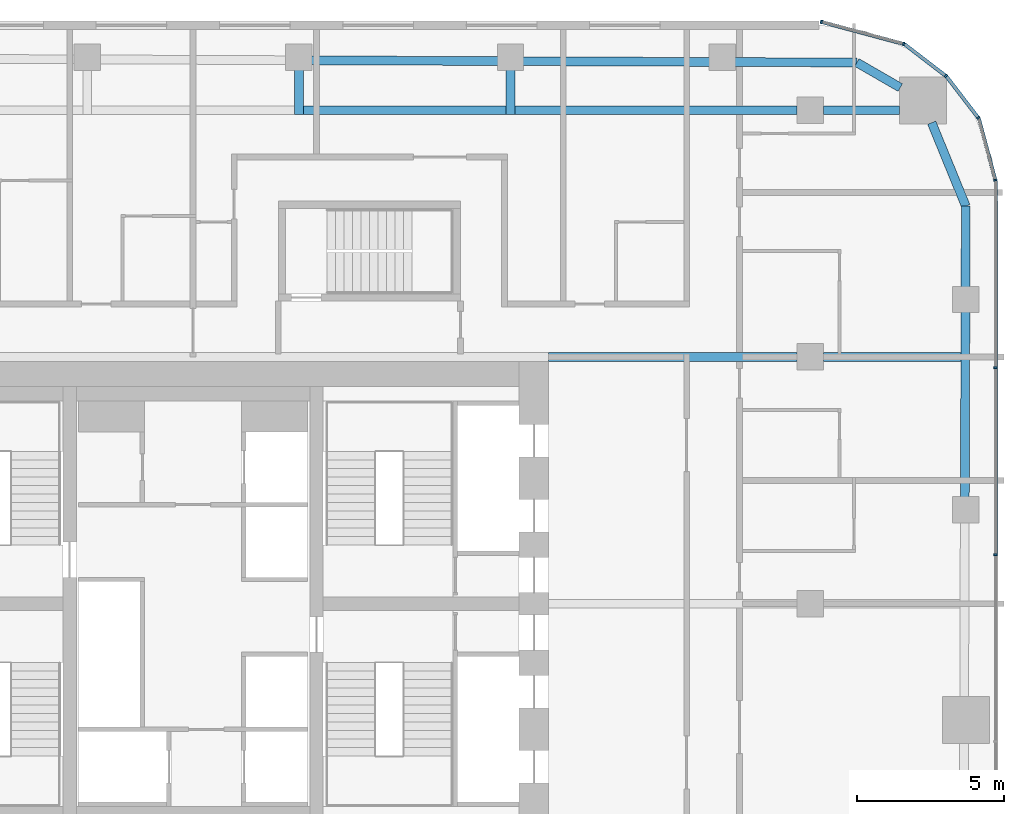
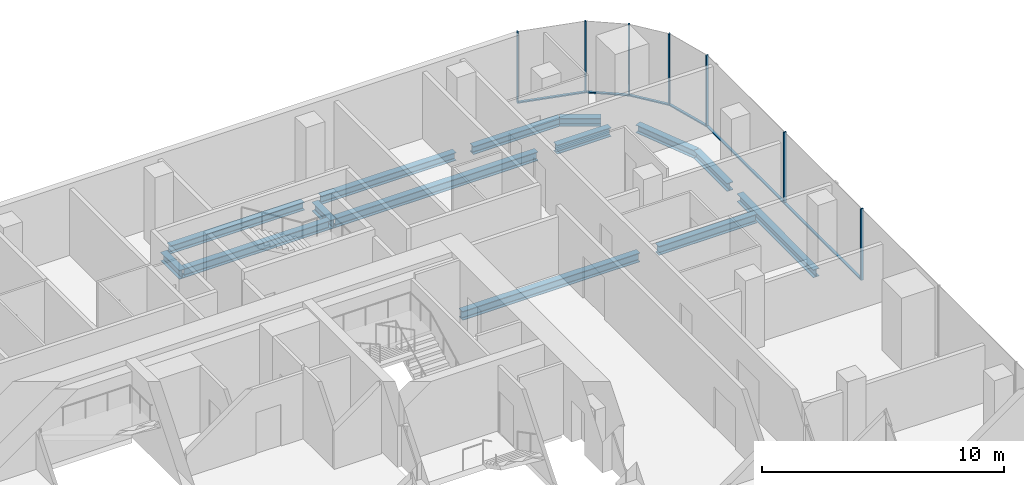
# One storey, part 11 of 23: 14 beams, 13 members, 5 elements without a shape of their own.
"""IFC4 building model written with IfcOpenShell, lengths in metres."""

from ifc_helpers import new_model, si_unit, direction, frame, origin, origin_2d, place, context, subcontext, project, spatial, rectangle, i_section, extrude, material, layer, layer_set, material_profile, profile_set, type_object, element, aggregate, save


model = new_model("IFC4")

# Units and contexts
model_context = context("Model", 3, precision=1e-05, world=origin(), true_north=direction((0.0, 1.0)))
body_context = subcontext(model_context, "Body", "Model", "MODEL_VIEW")
ifc_project = project(units=[si_unit("LENGTHUNIT", "METRE"), si_unit("AREAUNIT", "SQUARE_METRE"), si_unit("VOLUMEUNIT", "CUBIC_METRE"), si_unit("PLANEANGLEUNIT", "RADIAN"), si_unit("MASSUNIT", "GRAM", prefix="KILO")], contexts=[model_context])

# Site, building, storey
site_placement = place(None, origin())
site = spatial("IfcSite", under=ifc_project, at=site_placement, CompositionType="ELEMENT")
building_placement = place(site_placement, origin())
building = spatial("IfcBuilding", under=site, at=building_placement, Name="Marenta Gate Hotel Tower", CompositionType="ELEMENT")
storey_placement = place(building_placement, frame((0.0, 0.0, 104.89990234375)))
storey = spatial("IfcBuildingStorey", under=building, at=storey_placement, Name="L22", CompositionType="ELEMENT", Elevation=104.89990234375)

# Beams
ifc_material_1 = material(Name="Steel S355", Category="steel")
ifc_material_profile_1 = material_profile(ifc_material_1, i_section(OverallWidth=0.300048828125, OverallDepth=0.39990234375, WebThickness=0.013427734375, FlangeThickness=0.02392578125, FilletRadius=0.027099609375, at=origin_2d()), Name="HEB 400")
ifc_profile_set_1 = profile_set([ifc_material_profile_1], Name="Steel S355")
beam_type_1 = type_object("IfcBeamType", Name="Edge beam HEB 400", PredefinedType="SPANDREL", material=ifc_profile_set_1)
beam_1_placement = place(storey_placement, frame((4.011474609375, 26.89697265625, -0.4599609375), z_axis=(0.999991780119, -0.004054589324, 0.0), x_axis=(0.004054589324, 0.999991780119, 0.0)))
element("IfcBeam", 1, at=beam_1_placement, inside=storey, type_object=beam_type_1, Name="L22-EB-17", PredefinedType="SPANDREL", context=body_context, shape_type="SweptSolid", body=[
    extrude(i_section(OverallWidth=0.300048828125, OverallDepth=0.39990234375, WebThickness=0.013427734375, FlangeThickness=0.02392578125, FilletRadius=0.027099609375, at=origin_2d()), origin(), (0.0, 0.0, 1.0), 6.382568359375),
])
beam_2_placement = place(storey_placement, frame((11.214111328125, 26.86767578125, -0.4599609375), z_axis=(0.999991780748, -0.00405443424, 0.0), x_axis=(0.00405443424, 0.999991780748, 0.0)))
element("IfcBeam", 2, at=beam_2_placement, inside=storey, type_object=beam_type_1, Name="L22-EB-18", PredefinedType="SPANDREL", context=body_context, shape_type="SweptSolid", body=[
    extrude(i_section(OverallWidth=0.300048828125, OverallDepth=0.39990234375, WebThickness=0.013427734375, FlangeThickness=0.02392578125, FilletRadius=0.027099609375, at=origin_2d()), origin(), (0.0, 0.0, 1.0), 6.3828125),
])
beam_3_placement = place(storey_placement, frame((18.4169921875, 26.83837890625, -0.4599609375), z_axis=(0.999991621459, -0.004093532953, 0.0), x_axis=(0.004093532953, 0.999991621459, 0.0)))
element("IfcBeam", 3, at=beam_3_placement, inside=storey, type_object=beam_type_1, Name="L22-EB-19", PredefinedType="SPANDREL", context=body_context, shape_type="SweptSolid", body=[
    extrude(i_section(OverallWidth=0.300048828125, OverallDepth=0.39990234375, WebThickness=0.013427734375, FlangeThickness=0.02392578125, FilletRadius=0.027099609375, at=origin_2d()), origin(), (0.0, 0.0, 1.0), 4.1748046875),
])
beam_4_placement = place(storey_placement, frame((22.591796875, 26.8212890625, -0.4599609375), z_axis=(0.866016478054, -0.500015459501, 0.0), x_axis=(0.500015459501, 0.866016478054, 0.0)))
element("IfcBeam", 4, at=beam_4_placement, inside=storey, type_object=beam_type_1, Name="L22-EB-20", PredefinedType="SPANDREL", context=body_context, shape_type="SweptSolid", body=[
    extrude(i_section(OverallWidth=0.300048828125, OverallDepth=0.39990234375, WebThickness=0.013427734375, FlangeThickness=0.02392578125, FilletRadius=0.027099609375, at=origin_2d()), origin(), (0.0, 0.0, 1.0), 1.70703125),
])
beam_5_placement = place(storey_placement, frame((25.138916015625, 24.7724609375, -0.4599609375), z_axis=(0.378682450416, -0.925526661824, 0.0), x_axis=(0.925526661824, 0.378682450416, 0.0)))
element("IfcBeam", 5, at=beam_5_placement, inside=storey, type_object=beam_type_1, Name="L22-EB-21", PredefinedType="SPANDREL", context=body_context, shape_type="SweptSolid", body=[
    extrude(i_section(OverallWidth=0.300048828125, OverallDepth=0.39990234375, WebThickness=0.013427734375, FlangeThickness=0.02392578125, FilletRadius=0.027099609375, at=origin_2d()), origin(), (0.0, 0.0, 1.0), 3.066162109375),
])
beam_6_placement = place(storey_placement, frame((26.300048828125, 21.9345703125, -0.4599609375), z_axis=(-0.003351542298, -0.999994383566, 0.0), x_axis=(0.999994383566, -0.003351542298, 0.0)))
element("IfcBeam", 6, at=beam_6_placement, inside=storey, type_object=beam_type_1, Name="L22-EB-22", PredefinedType="SPANDREL", context=body_context, shape_type="SweptSolid", body=[
    extrude(i_section(OverallWidth=0.300048828125, OverallDepth=0.39990234375, WebThickness=0.013427734375, FlangeThickness=0.02392578125, FilletRadius=0.027099609375, at=origin_2d()), origin(), (0.0, 0.0, 1.0), 2.76806640625),
])
beam_7_placement = place(storey_placement, frame((26.2880859375, 18.346435546875, -0.4599609375), z_axis=(-0.00335374545, -0.99999437618, 0.0), x_axis=(0.99999437618, -0.00335374545, 0.0)))
element("IfcBeam", 7, at=beam_7_placement, inside=storey, type_object=beam_type_1, Name="L22-EB-23", PredefinedType="SPANDREL", context=body_context, shape_type="SweptSolid", body=[
    extrude(i_section(OverallWidth=0.300048828125, OverallDepth=0.39990234375, WebThickness=0.013427734375, FlangeThickness=0.02392578125, FilletRadius=0.027099609375, at=origin_2d()), origin(), (0.0, 0.0, 1.0), 6.333251953125),
])
ifc_material_2 = material(Name="Steel S355", Category="steel")
ifc_material_profile_2 = material_profile(ifc_material_2, i_section(OverallWidth=0.300048828125, OverallDepth=0.449951171875, WebThickness=0.013916015625, FlangeThickness=0.02587890625, FilletRadius=0.027099609375, at=origin_2d()), Name="HEB 450")
ifc_profile_set_2 = profile_set([ifc_material_profile_2], Name="Steel S355")
beam_type_2 = type_object("IfcBeamType", Name="Girder HEB 450", PredefinedType="BEAM", material=ifc_profile_set_2)
beam_8_placement = place(storey_placement, frame((12.10009765625, 16.800048828125, -0.48486328125), z_axis=(1.0, 0.0, 0.0), x_axis=(0.0, 1.0, 0.0)))
element("IfcBeam", 8, at=beam_8_placement, inside=storey, type_object=beam_type_2, Name="L22-GD-27", PredefinedType="BEAM", context=body_context, shape_type="SweptSolid", body=[
    extrude(i_section(OverallWidth=0.300048828125, OverallDepth=0.449951171875, WebThickness=0.013916015625, FlangeThickness=0.02587890625, FilletRadius=0.027099609375, at=origin_2d()), origin(), (0.0, 0.0, 1.0), 8.449951171875),
])
beam_9_placement = place(storey_placement, frame((21.449951171875, 16.800048828125, -0.48486328125), z_axis=(1.0, 0.0, 0.0), x_axis=(0.0, 1.0, 0.0)))
element("IfcBeam", 9, at=beam_9_placement, inside=storey, type_object=beam_type_2, Name="L22-GD-28", PredefinedType="BEAM", context=body_context, shape_type="SweptSolid", body=[
    extrude(i_section(OverallWidth=0.300048828125, OverallDepth=0.449951171875, WebThickness=0.013916015625, FlangeThickness=0.02587890625, FilletRadius=0.027099609375, at=origin_2d()), origin(), (0.0, 0.0, 1.0), 4.682861328125),
])
beam_10_placement = place(storey_placement, frame((3.75146484375, 25.199951171875, -0.48486328125), z_axis=(1.0, 0.0, 0.0), x_axis=(0.0, 1.0, 0.0)))
element("IfcBeam", 10, at=beam_10_placement, inside=storey, type_object=beam_type_2, Name="L22-GD-33", PredefinedType="BEAM", context=body_context, shape_type="SweptSolid", body=[
    extrude(i_section(OverallWidth=0.300048828125, OverallDepth=0.449951171875, WebThickness=0.013916015625, FlangeThickness=0.02587890625, FilletRadius=0.027099609375, at=origin_2d()), origin(), (0.0, 0.0, 1.0), 6.902587890625),
])
beam_11_placement = place(storey_placement, frame((10.9541015625, 25.199951171875, -0.48486328125), z_axis=(1.0, 0.0, 0.0), x_axis=(0.0, 1.0, 0.0)))
element("IfcBeam", 11, at=beam_11_placement, inside=storey, type_object=beam_type_2, Name="L22-GD-34", PredefinedType="BEAM", context=body_context, shape_type="SweptSolid", body=[
    extrude(i_section(OverallWidth=0.300048828125, OverallDepth=0.449951171875, WebThickness=0.013916015625, FlangeThickness=0.02587890625, FilletRadius=0.027099609375, at=origin_2d()), origin(), (0.0, 0.0, 1.0), 9.595947265625),
])
beam_12_placement = place(storey_placement, frame((21.449951171875, 25.199951171875, -0.48486328125), z_axis=(1.0, 0.0, 0.0), x_axis=(0.0, 1.0, 0.0)))
element("IfcBeam", 12, at=beam_12_placement, inside=storey, type_object=beam_type_2, Name="L22-GD-35", PredefinedType="BEAM", context=body_context, shape_type="SweptSolid", body=[
    extrude(i_section(OverallWidth=0.300048828125, OverallDepth=0.449951171875, WebThickness=0.013916015625, FlangeThickness=0.02587890625, FilletRadius=0.027099609375, at=origin_2d()), origin(), (0.0, 0.0, 1.0), 2.58544921875),
])
ifc_material_3 = material(Name="Steel S355", Category="steel")
ifc_material_profile_3 = material_profile(ifc_material_3, i_section(OverallWidth=0.300048828125, OverallDepth=0.449951171875, WebThickness=0.013916015625, FlangeThickness=0.02587890625, FilletRadius=0.027099609375, at=origin_2d()), Name="HEB 450")
ifc_profile_set_3 = profile_set([ifc_material_profile_3], Name="Steel S355")
beam_type_3 = type_object("IfcBeamType", Name="Girder bracket HEB 450", PredefinedType="BEAM", material=ifc_profile_set_3)
for number, where, z_axis, x_axis, name in (
    (13, (3.601318359375, 25.050048828125, -0.48486328125), (0.0, 1.0, 0.0), (-1.0, 0.0, 0.0), "L22-GS-3"),
    (14, (10.80419921875, 25.050048828125, -0.48486328125), (0.0, 1.0, 0.0), (-1.0, 0.0, 0.0), "L22-GS-4"),
):
    element("IfcBeam", number, at=place(storey_placement, frame(where, z_axis=z_axis, x_axis=x_axis)), inside=storey, type_object=beam_type_3, Name=name, PredefinedType="BEAM", context=body_context, shape_type="SweptSolid", body=[
        extrude(i_section(OverallWidth=0.300048828125, OverallDepth=0.449951171875, WebThickness=0.013916015625, FlangeThickness=0.02587890625, FilletRadius=0.027099609375, at=origin_2d()), origin(), (0.0, 0.0, 1.0), 1.5400390625),
    ])

# Curtain wall, members
ifc_material_4 = material(Name="Tinted insulated glass in bronze anodised frame", Category="glass")
ifc_layer = layer(ifc_material_4, 0.1201171875)
ifc_layer_set = layer_set([ifc_layer], Name="Tinted insulated glass in bronze anodised frame")
curtain_wall_type = type_object("IfcCurtainWallType", Name="Tower unitised curtain wall CW1", PredefinedType="NOTDEFINED", material=ifc_layer_set)
curtain_wall_1_placement = place(storey_placement, origin())
curtain_wall_1 = element("IfcCurtainWall", 15, at=curtain_wall_1_placement, inside=storey, type_object=curtain_wall_type, Name="CW1 run G11", PredefinedType="NOTDEFINED")
ifc_material_5 = material(Name="Bronze anodised aluminium", Category="aluminium")
ifc_material_profile_4 = material_profile(ifc_material_5, rectangle(XDim=0.1201171875, YDim=0.06005859375, at=origin_2d()), Name="Mullion CW1 60x120 bronze anodised aluminium")
ifc_profile_set_4 = profile_set([ifc_material_profile_4], Name="Bronze anodised aluminium")
member_type_1 = type_object("IfcMemberType", Name="Mullion CW1 60x120 bronze anodised aluminium", PredefinedType="MULLION", material=ifc_profile_set_4)
member_1_placement = place(storey_placement, frame((27.31396484375, 10.072021484375, 0.0), z_axis=(0.0, 0.0, 1.0), x_axis=(-1.0, 0.0, 0.0)))
member_1 = element("IfcMember", 16, at=member_1_placement, type_object=member_type_1, Name="CW1 mullion 5", PredefinedType="MULLION", context=body_context, shape_type="SweptSolid", body=[
    extrude(rectangle(XDim=0.1201171875, YDim=0.06005859375, at=origin_2d()), origin(), (0.0, 0.0, 1.0), 3.60009765625),
])
member_2_placement = place(storey_placement, frame((27.31396484375, 16.431884765625, 0.0), z_axis=(0.0, 0.0, 1.0), x_axis=(-1.0, 0.0, 0.0)))
member_2 = element("IfcMember", 17, at=member_2_placement, type_object=member_type_1, Name="CW1 mullion 6", PredefinedType="MULLION", context=body_context, shape_type="SweptSolid", body=[
    extrude(rectangle(XDim=0.1201171875, YDim=0.06005859375, at=origin_2d()), origin(), (0.0, 0.0, 1.0), 3.60009765625),
])

# Curtain wall, member
curtain_wall_2_placement = place(storey_placement, origin())
curtain_wall_2 = element("IfcCurtainWall", 18, at=curtain_wall_2_placement, inside=storey, type_object=curtain_wall_type, Name="CW1 run G12", PredefinedType="NOTDEFINED")
member_3_placement = place(storey_placement, frame((27.30615234375, 22.82080078125, 0.0), z_axis=(0.0, 0.0, 1.0), x_axis=(-0.965924859908, -0.258822651658, 0.0)))
member_3 = element("IfcMember", 19, at=member_3_placement, type_object=member_type_1, Name="CW1 mullion 1", PredefinedType="MULLION", context=body_context, shape_type="SweptSolid", body=[
    extrude(rectangle(XDim=0.1201171875, YDim=0.06005859375, at=origin_2d()), origin(), (0.0, 0.0, 1.0), 3.60009765625),
])

curtain_wall_3_placement = place(storey_placement, origin())
curtain_wall_3 = element("IfcCurtainWall", 20, at=curtain_wall_3_placement, inside=storey, type_object=curtain_wall_type, Name="CW1 run G13", PredefinedType="NOTDEFINED")
member_4_placement = place(storey_placement, frame((26.727783203125, 24.93505859375, 0.0), z_axis=(0.0, 0.0, 1.0), x_axis=(-0.793326722289, -0.608796116694, 0.0)))
member_4 = element("IfcMember", 21, at=member_4_placement, type_object=member_type_1, Name="CW1 mullion 1", PredefinedType="MULLION", context=body_context, shape_type="SweptSolid", body=[
    extrude(rectangle(XDim=0.1201171875, YDim=0.06005859375, at=origin_2d()), origin(), (0.0, 0.0, 1.0), 3.60009765625),
])

curtain_wall_4_placement = place(storey_placement, origin())
curtain_wall_4 = element("IfcCurtainWall", 22, at=curtain_wall_4_placement, inside=storey, type_object=curtain_wall_type, Name="CW1 run G14", PredefinedType="NOTDEFINED")
member_5_placement = place(storey_placement, frame((25.62158203125, 26.36376953125, 0.0), z_axis=(0.0, 0.0, 1.0), x_axis=(-0.608796116694, -0.793326722289, 0.0)))
member_5 = element("IfcMember", 23, at=member_5_placement, type_object=member_type_1, Name="CW1 mullion 1", PredefinedType="MULLION", context=body_context, shape_type="SweptSolid", body=[
    extrude(rectangle(XDim=0.1201171875, YDim=0.06005859375, at=origin_2d()), origin(), (0.0, 0.0, 1.0), 3.60009765625),
])

# Curtain wall, members
curtain_wall_5_placement = place(storey_placement, origin())
curtain_wall_5 = element("IfcCurtainWall", 24, at=curtain_wall_5_placement, inside=storey, type_object=curtain_wall_type, Name="CW1 run G15", PredefinedType="NOTDEFINED")
member_6_placement = place(storey_placement, frame((24.182373046875, 27.453857421875, 0.0), z_axis=(0.0, 0.0, 1.0), x_axis=(-0.258805989975, -0.965929324305, 0.0)))
member_6 = element("IfcMember", 25, at=member_6_placement, type_object=member_type_1, Name="CW1 mullion 1", PredefinedType="MULLION", context=body_context, shape_type="SweptSolid", body=[
    extrude(rectangle(XDim=0.1201171875, YDim=0.06005859375, at=origin_2d()), origin(), (0.0, 0.0, 1.0), 3.60009765625),
])
member_7_placement = place(storey_placement, frame((21.385498046875, 28.203125, 0.0), z_axis=(0.0, 0.0, 1.0), x_axis=(-0.258805989975, -0.965929324305, 0.0)))
member_7 = element("IfcMember", 26, at=member_7_placement, type_object=member_type_1, Name="CW1 mullion 2", PredefinedType="MULLION", context=body_context, shape_type="SweptSolid", body=[
    extrude(rectangle(XDim=0.1201171875, YDim=0.06005859375, at=origin_2d()), origin(), (0.0, 0.0, 1.0), 3.60009765625),
])

# Member
ifc_material_6 = material(Name="Bronze anodised aluminium", Category="aluminium")
ifc_material_profile_5 = material_profile(ifc_material_6, rectangle(XDim=0.1201171875, YDim=0.06005859375, at=origin_2d()), Name="Transom CW1 60x120 bronze anodised aluminium")
ifc_profile_set_5 = profile_set([ifc_material_profile_5], Name="Bronze anodised aluminium")
member_type_2 = type_object("IfcMemberType", Name="Transom CW1 60x120 bronze anodised aluminium", PredefinedType="USERDEFINED", material=ifc_profile_set_5)
member_8_placement = place(storey_placement, frame((27.31396484375, 10.10205078125, 0.030029296875), z_axis=(0.0, 1.0, 0.0), x_axis=(-1.0, 0.0, 0.0)))
member_8 = element("IfcMember", 27, at=member_8_placement, type_object=member_type_2, Name="CW1 transom 5.1", ObjectType="TRANSOM", PredefinedType="USERDEFINED", context=body_context, shape_type="SweptSolid", body=[
    extrude(rectangle(XDim=0.1201171875, YDim=0.06005859375, at=origin_2d()), origin(), (0.0, 0.0, 1.0), 6.2998046875),
])

member_9_placement = place(storey_placement, frame((27.31396484375, 16.4619140625, 0.030029296875), z_axis=(0.0, 1.0, 0.0), x_axis=(-1.0, 0.0, 0.0)))
member_9 = element("IfcMember", 28, at=member_9_placement, type_object=member_type_2, Name="CW1 transom 6.1", ObjectType="TRANSOM", PredefinedType="USERDEFINED", context=body_context, shape_type="SweptSolid", body=[
    extrude(rectangle(XDim=0.1201171875, YDim=0.06005859375, at=origin_2d()), origin(), (0.0, 0.0, 1.0), 6.330078125),
])

aggregate(curtain_wall_1, [member_1, member_2, member_8, member_9])

member_10_placement = place(storey_placement, frame((27.298583984375, 22.849853515625, 0.030029296875), z_axis=(-0.258865686882, 0.965913327455, 0.0), x_axis=(-0.965913327455, -0.258865686882, 0.0)))
member_10 = element("IfcMember", 29, at=member_10_placement, type_object=member_type_2, Name="CW1 transom 1.1", ObjectType="TRANSOM", PredefinedType="USERDEFINED", context=body_context, shape_type="SweptSolid", body=[
    extrude(rectangle(XDim=0.1201171875, YDim=0.06005859375, at=origin_2d()), origin(), (0.0, 0.0, 1.0), 2.13427734375),
])

aggregate(curtain_wall_2, [member_3, member_10])

member_11_placement = place(storey_placement, frame((26.70947265625, 24.958984375, 0.030029296875), z_axis=(-0.608792205599, 0.793329723634, 0.0), x_axis=(-0.793329723634, -0.608792205599, 0.0)))
member_11 = element("IfcMember", 30, at=member_11_placement, type_object=member_type_2, Name="CW1 transom 1.1", ObjectType="TRANSOM", PredefinedType="USERDEFINED", context=body_context, shape_type="SweptSolid", body=[
    extrude(rectangle(XDim=0.1201171875, YDim=0.06005859375, at=origin_2d()), origin(), (0.0, 0.0, 1.0), 1.74755859375),
])

aggregate(curtain_wall_3, [member_4, member_11])

member_12_placement = place(storey_placement, frame((25.597900390625, 26.382080078125, 0.030029296875), z_axis=(-0.793381490019, 0.608724741814, 0.0), x_axis=(-0.608724741814, -0.793381490019, 0.0)))
member_12 = element("IfcMember", 31, at=member_12_placement, type_object=member_type_2, Name="CW1 transom 1.1", ObjectType="TRANSOM", PredefinedType="USERDEFINED", context=body_context, shape_type="SweptSolid", body=[
    extrude(rectangle(XDim=0.1201171875, YDim=0.06005859375, at=origin_2d()), origin(), (0.0, 0.0, 1.0), 1.747802734375),
])

aggregate(curtain_wall_4, [member_5, member_12])

member_13_placement = place(storey_placement, frame((24.1533203125, 27.461669921875, 0.030029296875), z_axis=(-0.965922684272, 0.258830770986, 0.0), x_axis=(-0.258830770986, -0.965922684272, 0.0)))
member_13 = element("IfcMember", 32, at=member_13_placement, type_object=member_type_2, Name="CW1 transom 1.1", ObjectType="TRANSOM", PredefinedType="USERDEFINED", context=body_context, shape_type="SweptSolid", body=[
    extrude(rectangle(XDim=0.1201171875, YDim=0.06005859375, at=origin_2d()), origin(), (0.0, 0.0, 1.0), 2.83544921875),
])

aggregate(curtain_wall_5, [member_6, member_7, member_13])

save(model, "model.ifc")
